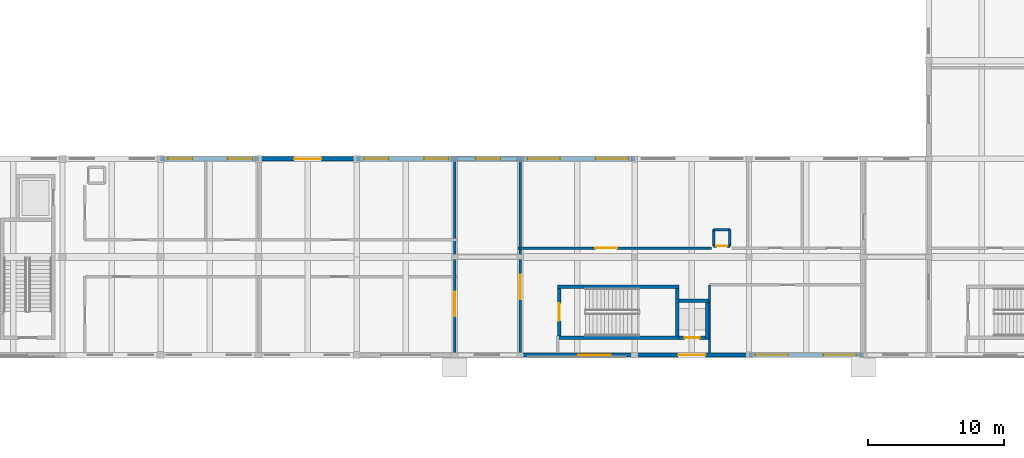
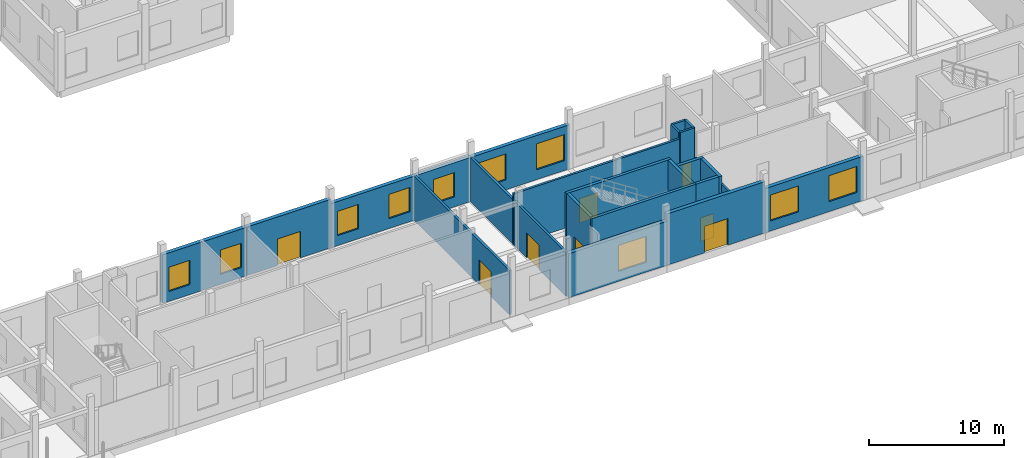
# One storey, part 19 of 41: 23 walls, 10 windows, 8 doors, 18 openings.
"""IFC4 building model written with IfcOpenShell, lengths in metres."""

from ifc_helpers import new_model, si_unit, direction, frame, frame_2d, origin, place, context, subcontext, project, spatial, rectangle, extrude, material, layer, layer_set, type_object, element, fill, save


model = new_model("IFC4")

# Units and contexts
model_context = context("Model", 3, precision=1e-05, world=origin(), true_north=direction((0.0, 1.0)))
body_context = subcontext(model_context, "Body", "Model", "MODEL_VIEW")
ifc_project = project(units=[si_unit("LENGTHUNIT", "METRE"), si_unit("AREAUNIT", "SQUARE_METRE"), si_unit("VOLUMEUNIT", "CUBIC_METRE"), si_unit("PLANEANGLEUNIT", "RADIAN"), si_unit("MASSUNIT", "GRAM", prefix="KILO")], contexts=[model_context])

# Site, building, storey
site_placement = place(None, origin())
site = spatial("IfcSite", under=ifc_project, at=site_placement, CompositionType="ELEMENT")
building_placement = place(site_placement, origin())
building = spatial("IfcBuilding", under=site, at=building_placement, Name="Kahlenmark Community Centre", CompositionType="ELEMENT")
storey_placement = place(building_placement, origin())
storey = spatial("IfcBuildingStorey", under=building, at=storey_placement, Name="L00", CompositionType="ELEMENT", Elevation=0.0)

# Wall, opening, door
ifc_material_1 = material(Name="Concrete C35/45", Category="concrete")
ifc_layer_1 = layer(ifc_material_1, 0.25)
ifc_layer_set_1 = layer_set([ifc_layer_1], Name="Concrete C35/45")
wall_type_1 = type_object("IfcWallType", Name="WT-CORE-250", PredefinedType="SHEAR", material=ifc_layer_set_1)
wall_1_placement = place(storey_placement, frame((94.47509765625, 13.699951171875, 0.0), z_axis=(0.0, 0.0, 1.0), x_axis=(0.0, -1.0, 0.0)))
wall_1 = element("IfcWall", 1, at=wall_1_placement, inside=storey, type_object=wall_type_1, Name="Core K7 shear wall WL-CORE-K7-L00-0253", PredefinedType="SHEAR", context=body_context, shape_type="SweptSolid", body=[
    extrude(rectangle(XDim=3.5, YDim=0.25, at=frame_2d((1.75, 0.0))), origin(), (0.0, 0.0, 1.0), 5.39990234375),
])
opening_1_placement = place(wall_1_placement, frame((1.10009765625, 0.0, -0.010009765625)))
opening_1 = element("IfcOpeningElement", 2, at=opening_1_placement, cuts=wall_1, Name="Opening FD-K7-L00", PredefinedType="OPENING", context=body_context, shape_type="SweptSolid", body=[
    extrude(rectangle(XDim=1.300048828125, YDim=2.159912109375, at=frame_2d((0.64990234375, 1.080078125))), frame((0.0, 0.135009765625, 0.0), z_axis=(0.0, -1.0, 0.0), x_axis=(1.0, 0.0, 0.0)), (0.0, 0.0, 1.0), 0.27001953125),
])
ifc_material_2 = material(Name="Fire-rated steel-framed timber door FD60S", Category="steel")
door_type_1 = type_object("IfcDoorType", Name="DT-FD-K7-L00", OperationType="NOTDEFINED", PredefinedType="DOOR", material=ifc_material_2)
door_1_placement = place(opening_1_placement, frame((0.0, 0.0, 0.010009765625)))
door_1 = element("IfcDoor", 3, at=door_1_placement, inside=storey, type_object=door_type_1, Name="Core K7 stair fire door L00", OperationType="SINGLE_SWING_RIGHT", OverallHeight=2.14990234375, OverallWidth=1.300048828125, PredefinedType="DOOR", context=body_context, shape_type="SweptSolid", body=[
    extrude(rectangle(XDim=1.300048828125, YDim=2.14990234375, at=frame_2d((0.64990234375, 1.074951171875))), frame((0.0, 0.02490234375, 0.0), z_axis=(0.0, -1.0, 0.0), x_axis=(1.0, 0.0, 0.0)), (0.0, 0.0, 1.0), 0.050048828125),
])
fill(opening_1, door_1)

# Walls
for number, where, z_axis, x_axis, name in (
    (4, (94.35009765625, 10.074951171875, 0.0), (0.0, 0.0, 1.0), (1.0, 0.0, 0.0), "Core K7 shear wall WL-CORE-K7-L00-0254"),
    (5, (94.35009765625, 13.824951171875, 0.0), (0.0, 0.0, 1.0), (1.0, 0.0, 0.0), "Core K7 shear wall WL-CORE-K7-L00-0255"),
):
    element("IfcWall", number, at=place(storey_placement, frame(where, z_axis=z_axis, x_axis=x_axis)), inside=storey, type_object=wall_type_1, Name=name, PredefinedType="SHEAR", context=body_context, shape_type="SweptSolid", body=[
        extrude(rectangle(XDim=8.89990234375, YDim=0.25, at=frame_2d((4.449951171875, 0.0))), origin(), (0.0, 0.0, 1.0), 5.39990234375),
    ])
wall_2_placement = place(storey_placement, frame((103.125, 10.199951171875, 0.0), z_axis=(0.0, 0.0, 1.0), x_axis=(0.0, 1.0, 0.0)))
element("IfcWall", 6, at=wall_2_placement, inside=storey, type_object=wall_type_1, Name="Core K7 shear wall WL-CORE-K7-L00-0256", PredefinedType="SHEAR", context=body_context, shape_type="SweptSolid", body=[
    extrude(rectangle(XDim=3.5, YDim=0.25, at=frame_2d((1.75, 0.0))), origin(), (0.0, 0.0, 1.0), 5.39990234375),
])
wall_3_placement = place(storey_placement, frame((103.25, 12.784912109375, 0.0), z_axis=(0.0, 0.0, 1.0), x_axis=(1.0, 0.0, 0.0)))
element("IfcWall", 7, at=wall_3_placement, inside=storey, type_object=wall_type_1, Name="Core K7 shear wall WL-CORE-K7-L00-0257", PredefinedType="SHEAR", context=body_context, shape_type="SweptSolid", body=[
    extrude(rectangle(XDim=2.2099609375, YDim=0.25, at=frame_2d((1.10498046875, 0.0))), origin(), (0.0, 0.0, 1.0), 5.39990234375),
])
wall_4_placement = place(storey_placement, frame((105.3349609375, 9.949951171875, 0.0), z_axis=(0.0, 0.0, 1.0), x_axis=(0.0, 1.0, 0.0)))
element("IfcWall", 8, at=wall_4_placement, inside=storey, type_object=wall_type_1, Name="Core K7 shear wall WL-CORE-K7-L00-0258", PredefinedType="SHEAR", context=body_context, shape_type="SweptSolid", body=[
    extrude(rectangle(XDim=2.9599609375, YDim=0.25, at=frame_2d((1.47998046875, 0.0))), origin(), (0.0, 0.0, 1.0), 5.39990234375),
])

# Wall, opening, door
wall_5_placement = place(storey_placement, frame((103.25, 10.074951171875, 0.0), z_axis=(0.0, 0.0, 1.0), x_axis=(1.0, 0.0, 0.0)))
wall_5 = element("IfcWall", 9, at=wall_5_placement, inside=storey, type_object=wall_type_1, Name="Core K7 shear wall WL-CORE-K7-L00-0259", PredefinedType="SHEAR", context=body_context, shape_type="SweptSolid", body=[
    extrude(rectangle(XDim=1.9599609375, YDim=0.25, at=frame_2d((0.97998046875, 0.0))), origin(), (0.0, 0.0, 1.0), 5.39990234375),
])
opening_2_placement = place(wall_5_placement, frame((0.429931640625, 0.0, -0.010009765625)))
opening_2 = element("IfcOpeningElement", 10, at=opening_2_placement, cuts=wall_5, Name="Opening LD-7", PredefinedType="OPENING", context=body_context, shape_type="SweptSolid", body=[
    extrude(rectangle(XDim=1.10009765625, YDim=2.159912109375, at=frame_2d((0.550048828125, 1.080078125))), frame((0.0, 0.135009765625, 0.0), z_axis=(0.0, -1.0, 0.0), x_axis=(1.0, 0.0, 0.0)), (0.0, 0.0, 1.0), 0.27001953125),
])
ifc_material_3 = material(Name="Brushed stainless steel sliding lift landing door", Category="steel")
door_type_2 = type_object("IfcDoorType", Name="DT-LD-K7", OperationType="SLIDING_TO_LEFT", PredefinedType="DOOR", material=ifc_material_3)
door_2_placement = place(opening_2_placement, frame((0.0, 0.0, 0.010009765625)))
door_2 = element("IfcDoor", 11, at=door_2_placement, inside=storey, type_object=door_type_2, Name="Lift LF-07 sliding landing door L00", OperationType="SLIDING_TO_LEFT", OverallHeight=2.14990234375, OverallWidth=1.10009765625, PredefinedType="DOOR", context=body_context, shape_type="SweptSolid", body=[
    extrude(rectangle(XDim=1.10009765625, YDim=2.14990234375, at=frame_2d((0.550048828125, 1.074951171875))), frame((0.0, 0.02490234375, 0.0), z_axis=(0.0, -1.0, 0.0), x_axis=(1.0, 0.0, 0.0)), (0.0, 0.0, 1.0), 0.050048828125),
])
fill(opening_2, door_2)

# Wall, openings, windows
ifc_material_4 = material(Name="Danube limestone masonry", Category="masonry")
ifc_layer_2 = layer(ifc_material_4, 0.320068359375)
ifc_layer_set_2 = layer_set([ifc_layer_2], Name="Danube limestone masonry")
wall_type_2 = type_object("IfcWallType", Name="WT-EW-320", PredefinedType="SOLIDWALL", material=ifc_layer_set_2)
wall_6_placement = place(storey_placement, frame((72.39990234375, 23.199951171875, 0.0), z_axis=(0.0, 0.0, 1.0), x_axis=(-1.0, 0.0, 0.0)))
wall_6 = element("IfcWall", 12, at=wall_6_placement, inside=storey, type_object=wall_type_2, Name="Exterior wall WL-EXT-L00-0174", PredefinedType="SOLIDWALL", context=body_context, shape_type="SweptSolid", body=[
    extrude(rectangle(XDim=7.199951171875, YDim=0.320068359375, at=frame_2d((3.60009765625, 0.0))), origin(), (0.0, 0.0, 1.0), 4.389892578125),
])
opening_3_placement = place(wall_6_placement, frame((0.4599609375, 0.0, 0.89990234375)))
opening_3 = element("IfcOpeningElement", 13, at=opening_3_placement, cuts=wall_6, Name="Opening W-180X220", PredefinedType="OPENING", context=body_context, shape_type="SweptSolid", body=[
    extrude(rectangle(XDim=1.800048828125, YDim=2.199951171875, at=frame_2d((0.89990234375, 1.10009765625))), frame((0.0, 0.169921875, 0.0), z_axis=(0.0, -1.0, 0.0), x_axis=(1.0, 0.0, 0.0)), (0.0, 0.0, 1.0), 0.340087890625),
])
opening_4_placement = place(wall_6_placement, frame((4.860107421875, 0.0, 0.89990234375)))
opening_4 = element("IfcOpeningElement", 14, at=opening_4_placement, cuts=wall_6, Name="Opening W-180X220", PredefinedType="OPENING", context=body_context, shape_type="SweptSolid", body=[
    extrude(rectangle(XDim=1.800048828125, YDim=2.199951171875, at=frame_2d((0.89990234375, 1.10009765625))), frame((0.0, 0.169921875, 0.0), z_axis=(0.0, -1.0, 0.0), x_axis=(1.0, 0.0, 0.0)), (0.0, 0.0, 1.0), 0.340087890625),
])
ifc_material_5 = material(Name="Triple low-e insulated glazing in timber-aluminium frame", Category="wood")
window_type_1 = type_object("IfcWindowType", Name="WNT-180X220", PartitioningType="DOUBLE_PANEL_VERTICAL", PredefinedType="WINDOW", material=ifc_material_5)
window_1_placement = place(opening_3_placement, origin())
window_1 = element("IfcWindow", 15, at=window_1_placement, inside=storey, type_object=window_type_1, Name="Window W-180X220 #0058", OverallHeight=2.199951171875, OverallWidth=1.800048828125, PartitioningType="DOUBLE_PANEL_VERTICAL", PredefinedType="WINDOW", context=body_context, shape_type="SweptSolid", body=[
    extrude(rectangle(XDim=1.800048828125, YDim=2.199951171875, at=frame_2d((0.89990234375, 1.10009765625))), frame((0.0, 0.030029296875, 0.0), z_axis=(0.0, -1.0, 0.0), x_axis=(1.0, 0.0, 0.0)), (0.0, 0.0, 1.0), 0.06005859375),
])
fill(opening_3, window_1)
window_2_placement = place(opening_4_placement, origin())
window_2 = element("IfcWindow", 16, at=window_2_placement, inside=storey, type_object=window_type_1, Name="Window W-180X220 #0059", OverallHeight=2.199951171875, OverallWidth=1.800048828125, PartitioningType="DOUBLE_PANEL_VERTICAL", PredefinedType="WINDOW", context=body_context, shape_type="SweptSolid", body=[
    extrude(rectangle(XDim=1.800048828125, YDim=2.199951171875, at=frame_2d((0.89990234375, 1.10009765625))), frame((0.0, 0.030029296875, 0.0), z_axis=(0.0, -1.0, 0.0), x_axis=(1.0, 0.0, 0.0)), (0.0, 0.0, 1.0), 0.06005859375),
])
fill(opening_4, window_2)

# Wall, opening, door
wall_7_placement = place(storey_placement, frame((79.60009765625, 23.199951171875, 0.0), z_axis=(0.0, 0.0, 1.0), x_axis=(-1.0, 0.0, 0.0)))
wall_7 = element("IfcWall", 17, at=wall_7_placement, inside=storey, type_object=wall_type_2, Name="Exterior wall WL-EXT-L00-0175", PredefinedType="SOLIDWALL", context=body_context, shape_type="SweptSolid", body=[
    extrude(rectangle(XDim=7.2001953125, YDim=0.320068359375, at=frame_2d((3.60009765625, 0.0))), origin(), (0.0, 0.0, 1.0), 4.389892578125),
])
opening_5_placement = place(wall_7_placement, frame((2.60009765625, 0.0, -0.010009765625)))
opening_5 = element("IfcOpeningElement", 18, at=opening_5_placement, cuts=wall_7, Name="Opening D-EX03", PredefinedType="OPENING", context=body_context, shape_type="SweptSolid", body=[
    extrude(rectangle(XDim=2.0, YDim=2.409912109375, at=frame_2d((1.0, 1.205078125))), frame((0.0, 0.169921875, 0.0), z_axis=(0.0, -1.0, 0.0), x_axis=(1.0, 0.0, 0.0)), (0.0, 0.0, 1.0), 0.340087890625),
])
ifc_material_6 = material(Name="Thermally broken glazed aluminium double entrance door", Category="aluminium")
door_type_3 = type_object("IfcDoorType", Name="DT-EXT-200X240", OperationType="NOTDEFINED", PredefinedType="DOOR", material=ifc_material_6)
door_3_placement = place(opening_5_placement, frame((0.0, 0.0, 0.010009765625)))
door_3 = element("IfcDoor", 19, at=door_3_placement, inside=storey, type_object=door_type_3, Name="Exterior door D-EX03", OperationType="DOUBLE_SWING_LEFT", OverallHeight=2.39990234375, OverallWidth=2.0, PredefinedType="DOOR", context=body_context, shape_type="SweptSolid", body=[
    extrude(rectangle(XDim=2.0, YDim=2.39990234375, at=frame_2d((1.0, 1.199951171875))), frame((0.0, 0.02490234375, 0.0), z_axis=(0.0, -1.0, 0.0), x_axis=(1.0, 0.0, 0.0)), (0.0, 0.0, 1.0), 0.050048828125),
])
fill(opening_5, door_3)

# Wall, openings, windows
wall_8_placement = place(storey_placement, frame((86.800048828125, 23.199951171875, 0.0), z_axis=(0.0, 0.0, 1.0), x_axis=(-1.0, 0.0, 0.0)))
wall_8 = element("IfcWall", 20, at=wall_8_placement, inside=storey, type_object=wall_type_2, Name="Exterior wall WL-EXT-L00-0176", PredefinedType="SOLIDWALL", context=body_context, shape_type="SweptSolid", body=[
    extrude(rectangle(XDim=7.199951171875, YDim=0.320068359375, at=frame_2d((3.60009765625, 0.0))), origin(), (0.0, 0.0, 1.0), 3.989990234375),
])
opening_6_placement = place(wall_8_placement, frame((0.4599609375, 0.0, 0.89990234375)))
opening_6 = element("IfcOpeningElement", 21, at=opening_6_placement, cuts=wall_8, Name="Opening W-180X220", PredefinedType="OPENING", context=body_context, shape_type="SweptSolid", body=[
    extrude(rectangle(XDim=1.800048828125, YDim=2.199951171875, at=frame_2d((0.89990234375, 1.10009765625))), frame((0.0, 0.169921875, 0.0), z_axis=(0.0, -1.0, 0.0), x_axis=(1.0, 0.0, 0.0)), (0.0, 0.0, 1.0), 0.340087890625),
])
opening_7_placement = place(wall_8_placement, frame((4.860107421875, 0.0, 0.89990234375)))
opening_7 = element("IfcOpeningElement", 22, at=opening_7_placement, cuts=wall_8, Name="Opening W-180X220", PredefinedType="OPENING", context=body_context, shape_type="SweptSolid", body=[
    extrude(rectangle(XDim=1.800048828125, YDim=2.199951171875, at=frame_2d((0.89990234375, 1.10009765625))), frame((0.0, 0.169921875, 0.0), z_axis=(0.0, -1.0, 0.0), x_axis=(1.0, 0.0, 0.0)), (0.0, 0.0, 1.0), 0.340087890625),
])
window_3_placement = place(opening_6_placement, origin())
window_3 = element("IfcWindow", 23, at=window_3_placement, inside=storey, type_object=window_type_1, Name="Window W-180X220 #0060", OverallHeight=2.199951171875, OverallWidth=1.800048828125, PartitioningType="DOUBLE_PANEL_VERTICAL", PredefinedType="WINDOW", context=body_context, shape_type="SweptSolid", body=[
    extrude(rectangle(XDim=1.800048828125, YDim=2.199951171875, at=frame_2d((0.89990234375, 1.10009765625))), frame((0.0, 0.030029296875, 0.0), z_axis=(0.0, -1.0, 0.0), x_axis=(1.0, 0.0, 0.0)), (0.0, 0.0, 1.0), 0.06005859375),
])
fill(opening_6, window_3)
window_4_placement = place(opening_7_placement, origin())
window_4 = element("IfcWindow", 24, at=window_4_placement, inside=storey, type_object=window_type_1, Name="Window W-180X220 #0061", OverallHeight=2.199951171875, OverallWidth=1.800048828125, PartitioningType="DOUBLE_PANEL_VERTICAL", PredefinedType="WINDOW", context=body_context, shape_type="SweptSolid", body=[
    extrude(rectangle(XDim=1.800048828125, YDim=2.199951171875, at=frame_2d((0.89990234375, 1.10009765625))), frame((0.0, 0.030029296875, 0.0), z_axis=(0.0, -1.0, 0.0), x_axis=(1.0, 0.0, 0.0)), (0.0, 0.0, 1.0), 0.06005859375),
])
fill(opening_7, window_4)

# Wall, opening, window
wall_9_placement = place(storey_placement, frame((91.60009765625, 8.800048828125, 0.0), z_axis=(0.0, 0.0, 1.0), x_axis=(1.0, 0.0, 0.0)))
wall_9 = element("IfcWall", 25, at=wall_9_placement, inside=storey, type_object=wall_type_2, Name="Exterior wall WL-EXT-L00-0213", PredefinedType="SOLIDWALL", context=body_context, shape_type="SweptSolid", body=[
    extrude(rectangle(XDim=8.39990234375, YDim=0.320068359375, at=frame_2d((4.199951171875, 0.0))), origin(), (0.0, 0.0, 1.0), 3.989990234375),
])
opening_8_placement = place(wall_9_placement, frame((4.260009765625, 0.0, 0.89990234375)))
opening_8 = element("IfcOpeningElement", 26, at=opening_8_placement, cuts=wall_9, Name="Opening W-240X235", PredefinedType="OPENING", context=body_context, shape_type="SweptSolid", body=[
    extrude(rectangle(XDim=2.39990234375, YDim=2.35009765625, at=frame_2d((1.199951171875, 1.175048828125))), frame((0.0, 0.169921875, 0.0), z_axis=(0.0, -1.0, 0.0), x_axis=(1.0, 0.0, 0.0)), (0.0, 0.0, 1.0), 0.340087890625),
])
window_type_2 = type_object("IfcWindowType", Name="WNT-240X235", PartitioningType="TRIPLE_PANEL_VERTICAL", PredefinedType="WINDOW", material=ifc_material_5)
window_5_placement = place(opening_8_placement, origin())
window_5 = element("IfcWindow", 27, at=window_5_placement, inside=storey, type_object=window_type_2, Name="Window W-240X235 #0118", OverallHeight=2.35009765625, OverallWidth=2.39990234375, PartitioningType="TRIPLE_PANEL_VERTICAL", PredefinedType="WINDOW", context=body_context, shape_type="SweptSolid", body=[
    extrude(rectangle(XDim=2.39990234375, YDim=2.35009765625, at=frame_2d((1.199951171875, 1.175048828125))), frame((0.0, 0.030029296875, 0.0), z_axis=(0.0, -1.0, 0.0), x_axis=(1.0, 0.0, 0.0)), (0.0, 0.0, 1.0), 0.06005859375),
])
fill(opening_8, window_5)

# Wall, opening, door
wall_10_placement = place(storey_placement, frame((100.0, 8.800048828125, 0.0), z_axis=(0.0, 0.0, 1.0), x_axis=(1.0, 0.0, 0.0)))
wall_10 = element("IfcWall", 28, at=wall_10_placement, inside=storey, type_object=wall_type_2, Name="Exterior wall WL-EXT-L00-0214", PredefinedType="SOLIDWALL", context=body_context, shape_type="SweptSolid", body=[
    extrude(rectangle(XDim=8.39990234375, YDim=0.320068359375, at=frame_2d((4.199951171875, 0.0))), origin(), (0.0, 0.0, 1.0), 4.639892578125),
])
opening_9_placement = place(wall_10_placement, frame((3.199951171875, 0.0, -0.010009765625)))
opening_9 = element("IfcOpeningElement", 29, at=opening_9_placement, cuts=wall_10, Name="Opening D-E05", PredefinedType="OPENING", context=body_context, shape_type="SweptSolid", body=[
    extrude(rectangle(XDim=2.0, YDim=2.409912109375, at=frame_2d((1.0, 1.205078125))), frame((0.0, 0.169921875, 0.0), z_axis=(0.0, -1.0, 0.0), x_axis=(1.0, 0.0, 0.0)), (0.0, 0.0, 1.0), 0.340087890625),
])
door_4_placement = place(opening_9_placement, frame((0.0, 0.0, 0.010009765625)))
door_4 = element("IfcDoor", 30, at=door_4_placement, inside=storey, type_object=door_type_3, Name="Exterior door D-E05", OperationType="DOUBLE_SWING_LEFT", OverallHeight=2.39990234375, OverallWidth=2.0, PredefinedType="DOOR", context=body_context, shape_type="SweptSolid", body=[
    extrude(rectangle(XDim=2.0, YDim=2.39990234375, at=frame_2d((1.0, 1.199951171875))), frame((0.0, 0.02490234375, 0.0), z_axis=(0.0, -1.0, 0.0), x_axis=(1.0, 0.0, 0.0)), (0.0, 0.0, 1.0), 0.050048828125),
])
fill(opening_9, door_4)

# Wall, openings, windows
wall_11_placement = place(storey_placement, frame((108.39990234375, 8.800048828125, 0.0), z_axis=(0.0, 0.0, 1.0), x_axis=(1.0, 0.0, 0.0)))
wall_11 = element("IfcWall", 31, at=wall_11_placement, inside=storey, type_object=wall_type_2, Name="Exterior wall WL-EXT-L00-0215", PredefinedType="SOLIDWALL", context=body_context, shape_type="SweptSolid", body=[
    extrude(rectangle(XDim=8.400146484375, YDim=0.320068359375, at=frame_2d((4.2001953125, 0.0))), origin(), (0.0, 0.0, 1.0), 3.989990234375),
])
opening_10_placement = place(wall_11_placement, frame((0.4599609375, 0.0, 0.89990234375)))
opening_10 = element("IfcOpeningElement", 32, at=opening_10_placement, cuts=wall_11, Name="Opening W-240X235", PredefinedType="OPENING", context=body_context, shape_type="SweptSolid", body=[
    extrude(rectangle(XDim=2.39990234375, YDim=2.35009765625, at=frame_2d((1.199951171875, 1.175048828125))), frame((0.0, 0.169921875, 0.0), z_axis=(0.0, -1.0, 0.0), x_axis=(1.0, 0.0, 0.0)), (0.0, 0.0, 1.0), 0.340087890625),
])
opening_11_placement = place(wall_11_placement, frame((5.4599609375, 0.0, 0.89990234375)))
opening_11 = element("IfcOpeningElement", 33, at=opening_11_placement, cuts=wall_11, Name="Opening W-240X235", PredefinedType="OPENING", context=body_context, shape_type="SweptSolid", body=[
    extrude(rectangle(XDim=2.39990234375, YDim=2.35009765625, at=frame_2d((1.199951171875, 1.175048828125))), frame((0.0, 0.169921875, 0.0), z_axis=(0.0, -1.0, 0.0), x_axis=(1.0, 0.0, 0.0)), (0.0, 0.0, 1.0), 0.340087890625),
])
window_6_placement = place(opening_10_placement, origin())
window_6 = element("IfcWindow", 34, at=window_6_placement, inside=storey, type_object=window_type_2, Name="Window W-240X235 #0119", OverallHeight=2.35009765625, OverallWidth=2.39990234375, PartitioningType="TRIPLE_PANEL_VERTICAL", PredefinedType="WINDOW", context=body_context, shape_type="SweptSolid", body=[
    extrude(rectangle(XDim=2.39990234375, YDim=2.35009765625, at=frame_2d((1.199951171875, 1.175048828125))), frame((0.0, 0.030029296875, 0.0), z_axis=(0.0, -1.0, 0.0), x_axis=(1.0, 0.0, 0.0)), (0.0, 0.0, 1.0), 0.06005859375),
])
fill(opening_10, window_6)
window_7_placement = place(opening_11_placement, origin())
window_7 = element("IfcWindow", 35, at=window_7_placement, inside=storey, type_object=window_type_2, Name="Window W-240X235 #0120", OverallHeight=2.35009765625, OverallWidth=2.39990234375, PartitioningType="TRIPLE_PANEL_VERTICAL", PredefinedType="WINDOW", context=body_context, shape_type="SweptSolid", body=[
    extrude(rectangle(XDim=2.39990234375, YDim=2.35009765625, at=frame_2d((1.199951171875, 1.175048828125))), frame((0.0, 0.030029296875, 0.0), z_axis=(0.0, -1.0, 0.0), x_axis=(1.0, 0.0, 0.0)), (0.0, 0.0, 1.0), 0.06005859375),
])
fill(opening_11, window_7)

wall_12_placement = place(storey_placement, frame((100.0, 23.199951171875, 0.0), z_axis=(0.0, 0.0, 1.0), x_axis=(-1.0, 0.0, 0.0)))
wall_12 = element("IfcWall", 36, at=wall_12_placement, inside=storey, type_object=wall_type_2, Name="Exterior wall WL-EXT-L00-0216", PredefinedType="SOLIDWALL", context=body_context, shape_type="SweptSolid", body=[
    extrude(rectangle(XDim=8.39990234375, YDim=0.320068359375, at=frame_2d((4.199951171875, 0.0))), origin(), (0.0, 0.0, 1.0), 3.989990234375),
])
opening_12_placement = place(wall_12_placement, frame((0.4599609375, 0.0, 0.89990234375)))
opening_12 = element("IfcOpeningElement", 37, at=opening_12_placement, cuts=wall_12, Name="Opening W-240X235", PredefinedType="OPENING", context=body_context, shape_type="SweptSolid", body=[
    extrude(rectangle(XDim=2.39990234375, YDim=2.35009765625, at=frame_2d((1.199951171875, 1.175048828125))), frame((0.0, 0.169921875, 0.0), z_axis=(0.0, -1.0, 0.0), x_axis=(1.0, 0.0, 0.0)), (0.0, 0.0, 1.0), 0.340087890625),
])
opening_13_placement = place(wall_12_placement, frame((5.4599609375, 0.0, 0.89990234375)))
opening_13 = element("IfcOpeningElement", 38, at=opening_13_placement, cuts=wall_12, Name="Opening W-240X235", PredefinedType="OPENING", context=body_context, shape_type="SweptSolid", body=[
    extrude(rectangle(XDim=2.39990234375, YDim=2.35009765625, at=frame_2d((1.199951171875, 1.175048828125))), frame((0.0, 0.169921875, 0.0), z_axis=(0.0, -1.0, 0.0), x_axis=(1.0, 0.0, 0.0)), (0.0, 0.0, 1.0), 0.340087890625),
])
window_8_placement = place(opening_12_placement, origin())
window_8 = element("IfcWindow", 39, at=window_8_placement, inside=storey, type_object=window_type_2, Name="Window W-240X235 #0121", OverallHeight=2.35009765625, OverallWidth=2.39990234375, PartitioningType="TRIPLE_PANEL_VERTICAL", PredefinedType="WINDOW", context=body_context, shape_type="SweptSolid", body=[
    extrude(rectangle(XDim=2.39990234375, YDim=2.35009765625, at=frame_2d((1.199951171875, 1.175048828125))), frame((0.0, 0.030029296875, 0.0), z_axis=(0.0, -1.0, 0.0), x_axis=(1.0, 0.0, 0.0)), (0.0, 0.0, 1.0), 0.06005859375),
])
fill(opening_12, window_8)
window_9_placement = place(opening_13_placement, origin())
window_9 = element("IfcWindow", 40, at=window_9_placement, inside=storey, type_object=window_type_2, Name="Window W-240X235 #0122", OverallHeight=2.35009765625, OverallWidth=2.39990234375, PartitioningType="TRIPLE_PANEL_VERTICAL", PredefinedType="WINDOW", context=body_context, shape_type="SweptSolid", body=[
    extrude(rectangle(XDim=2.39990234375, YDim=2.35009765625, at=frame_2d((1.199951171875, 1.175048828125))), frame((0.0, 0.030029296875, 0.0), z_axis=(0.0, -1.0, 0.0), x_axis=(1.0, 0.0, 0.0)), (0.0, 0.0, 1.0), 0.06005859375),
])
fill(opening_13, window_9)

# Wall, opening, window
wall_13_placement = place(storey_placement, frame((91.60009765625, 23.199951171875, 0.0), z_axis=(0.0, 0.0, 1.0), x_axis=(-1.0, 0.0, 0.0)))
wall_13 = element("IfcWall", 41, at=wall_13_placement, inside=storey, type_object=wall_type_2, Name="Exterior wall WL-EXT-L00-0242", PredefinedType="SOLIDWALL", context=body_context, shape_type="SweptSolid", body=[
    extrude(rectangle(XDim=4.800048828125, YDim=0.320068359375, at=frame_2d((2.39990234375, 0.0))), origin(), (0.0, 0.0, 1.0), 3.989990234375),
])
opening_14_placement = place(wall_13_placement, frame((1.4599609375, 0.0, 0.89990234375)))
opening_14 = element("IfcOpeningElement", 42, at=opening_14_placement, cuts=wall_13, Name="Opening W-180X220", PredefinedType="OPENING", context=body_context, shape_type="SweptSolid", body=[
    extrude(rectangle(XDim=1.800048828125, YDim=2.199951171875, at=frame_2d((0.89990234375, 1.10009765625))), frame((0.0, 0.169921875, 0.0), z_axis=(0.0, -1.0, 0.0), x_axis=(1.0, 0.0, 0.0)), (0.0, 0.0, 1.0), 0.340087890625),
])
window_10_placement = place(opening_14_placement, origin())
window_10 = element("IfcWindow", 43, at=window_10_placement, inside=storey, type_object=window_type_1, Name="Window W-180X220 #0162", OverallHeight=2.199951171875, OverallWidth=1.800048828125, PartitioningType="DOUBLE_PANEL_VERTICAL", PredefinedType="WINDOW", context=body_context, shape_type="SweptSolid", body=[
    extrude(rectangle(XDim=1.800048828125, YDim=2.199951171875, at=frame_2d((0.89990234375, 1.10009765625))), frame((0.0, 0.030029296875, 0.0), z_axis=(0.0, -1.0, 0.0), x_axis=(1.0, 0.0, 0.0)), (0.0, 0.0, 1.0), 0.06005859375),
])
fill(opening_14, window_10)

# Wall
ifc_material_7 = material(Name="Gypsum plasterboard partition", Category="gypsum")
ifc_layer_3 = layer(ifc_material_7, 0.179931640625)
ifc_layer_set_3 = layer_set([ifc_layer_3], Name="Gypsum plasterboard partition")
wall_type_3 = type_object("IfcWallType", Name="WT-PW-180", PredefinedType="PARTITIONING", material=ifc_layer_set_3)
wall_14_placement = place(storey_placement, frame((105.5, 8.949951171875, 0.0), z_axis=(0.0, 0.0, 1.0), x_axis=(0.0, 1.0, 0.0)))
element("IfcWall", 44, at=wall_14_placement, inside=storey, type_object=wall_type_3, Name="Interior partition WL-INT-L00-0045", PredefinedType="PARTITIONING", context=body_context, shape_type="SweptSolid", body=[
    extrude(rectangle(XDim=5.0, YDim=0.179931640625, at=frame_2d((2.5, 0.0))), origin(), (0.0, 0.0, 1.0), 4.639892578125),
])

# Wall, opening, door
wall_15_placement = place(storey_placement, frame((91.449951171875, 16.64990234375, 0.0), z_axis=(0.0, 0.0, 1.0), x_axis=(1.0, 0.0, 0.0)))
wall_15 = element("IfcWall", 45, at=wall_15_placement, inside=storey, type_object=wall_type_3, Name="Interior partition WL-INT-L00-0047", PredefinedType="PARTITIONING", context=body_context, shape_type="SweptSolid", body=[
    extrude(rectangle(XDim=14.199951171875, YDim=0.179931640625, at=frame_2d((7.10009765625, 0.0))), origin(), (0.0, 0.0, 1.0), 4.639892578125),
])
opening_15_placement = place(wall_15_placement, frame((5.669921875, 0.0, -0.010009765625)))
opening_15 = element("IfcOpeningElement", 46, at=opening_15_placement, cuts=wall_15, Name="Opening D-L00-032", PredefinedType="OPENING", context=body_context, shape_type="SweptSolid", body=[
    extrude(rectangle(XDim=1.60009765625, YDim=2.2099609375, at=frame_2d((0.800048828125, 1.10498046875))), frame((0.0, 0.099853515625, 0.0), z_axis=(0.0, -1.0, 0.0), x_axis=(1.0, 0.0, 0.0)), (0.0, 0.0, 1.0), 0.199951171875),
])
ifc_material_8 = material(Name="Oak double-leaf acoustic door")
door_type_4 = type_object("IfcDoorType", Name="DT-DBL-160X220", OperationType="NOTDEFINED", PredefinedType="DOOR", material=ifc_material_8)
door_5_placement = place(opening_15_placement, frame((0.0, 0.0, 0.010009765625)))
door_5 = element("IfcDoor", 47, at=door_5_placement, inside=storey, type_object=door_type_4, Name="Interior door D-L00-032", OperationType="DOUBLE_SWING_LEFT", OverallHeight=2.199951171875, OverallWidth=1.60009765625, PredefinedType="DOOR", context=body_context, shape_type="SweptSolid", body=[
    extrude(rectangle(XDim=1.60009765625, YDim=2.199951171875, at=frame_2d((0.800048828125, 1.10009765625))), frame((0.0, 0.02490234375, 0.0), z_axis=(0.0, -1.0, 0.0), x_axis=(1.0, 0.0, 0.0)), (0.0, 0.0, 1.0), 0.050048828125),
])
fill(opening_15, door_5)

ifc_material_9 = material(Name="Masonry blockwork", Category="masonry")
ifc_layer_4 = layer(ifc_material_9, 0.199951171875)
ifc_layer_set_4 = layer_set([ifc_layer_4], Name="Masonry blockwork")
wall_type_4 = type_object("IfcWallType", Name="WT-PW-200", PredefinedType="PARTITIONING", material=ifc_layer_set_4)
wall_16_placement = place(storey_placement, frame((86.800048828125, 8.949951171875, 0.0), z_axis=(0.0, 0.0, 1.0), x_axis=(0.0, 1.0, 0.0)))
wall_16 = element("IfcWall", 48, at=wall_16_placement, inside=storey, type_object=wall_type_4, Name="Interior partition WL-INT-L00-0042", PredefinedType="PARTITIONING", context=body_context, shape_type="SweptSolid", body=[
    extrude(rectangle(XDim=14.10009765625, YDim=0.199951171875, at=frame_2d((7.050048828125, 0.0))), origin(), (0.0, 0.0, 1.0), 3.989990234375),
])
opening_16_placement = place(wall_16_placement, frame((2.7060546875, 0.0, -0.010009765625)))
opening_16 = element("IfcOpeningElement", 49, at=opening_16_placement, cuts=wall_16, Name="Opening D-L00-029", PredefinedType="OPENING", context=body_context, shape_type="SweptSolid", body=[
    extrude(rectangle(XDim=1.800048828125, YDim=2.260009765625, at=frame_2d((0.89990234375, 1.1298828125))), frame((0.0, 0.10986328125, 0.0), z_axis=(0.0, -1.0, 0.0), x_axis=(1.0, 0.0, 0.0)), (0.0, 0.0, 1.0), 0.219970703125),
])
ifc_material_10 = material(Name="Fire-rated double corridor door FD60S")
door_type_5 = type_object("IfcDoorType", Name="DT-FD60-180X225", OperationType="NOTDEFINED", PredefinedType="DOOR", material=ifc_material_10)
door_6_placement = place(opening_16_placement, frame((0.0, 0.0, 0.010009765625)))
door_6 = element("IfcDoor", 50, at=door_6_placement, inside=storey, type_object=door_type_5, Name="Interior door D-L00-029", OperationType="DOUBLE_SWING_LEFT", OverallHeight=2.25, OverallWidth=1.800048828125, PredefinedType="DOOR", context=body_context, shape_type="SweptSolid", body=[
    extrude(rectangle(XDim=1.800048828125, YDim=2.25, at=frame_2d((0.89990234375, 1.125))), frame((0.0, 0.02490234375, 0.0), z_axis=(0.0, -1.0, 0.0), x_axis=(1.0, 0.0, 0.0)), (0.0, 0.0, 1.0), 0.050048828125),
])
fill(opening_16, door_6)

wall_17_placement = place(storey_placement, frame((91.60009765625, 8.949951171875, 0.0), z_axis=(0.0, 0.0, 1.0), x_axis=(0.0, 1.0, 0.0)))
wall_17 = element("IfcWall", 51, at=wall_17_placement, inside=storey, type_object=wall_type_4, Name="Interior partition WL-INT-L00-0043", PredefinedType="PARTITIONING", context=body_context, shape_type="SweptSolid", body=[
    extrude(rectangle(XDim=14.10009765625, YDim=0.199951171875, at=frame_2d((7.050048828125, 0.0))), origin(), (0.0, 0.0, 1.0), 3.989990234375),
])
opening_17_placement = place(wall_17_placement, frame((3.93603515625, 0.0, -0.010009765625)))
opening_17 = element("IfcOpeningElement", 52, at=opening_17_placement, cuts=wall_17, Name="Opening D-L00-030", PredefinedType="OPENING", context=body_context, shape_type="SweptSolid", body=[
    extrude(rectangle(XDim=1.800048828125, YDim=2.260009765625, at=frame_2d((0.89990234375, 1.1298828125))), frame((0.0, 0.10986328125, 0.0), z_axis=(0.0, -1.0, 0.0), x_axis=(1.0, 0.0, 0.0)), (0.0, 0.0, 1.0), 0.219970703125),
])
door_7_placement = place(opening_17_placement, frame((1.800048828125, 0.0, 0.010009765625), z_axis=(0.0, 0.0, 1.0), x_axis=(-1.0, 0.0, 0.0)))
door_7 = element("IfcDoor", 53, at=door_7_placement, inside=storey, type_object=door_type_5, Name="Interior door D-L00-030", OperationType="DOUBLE_SWING_LEFT", OverallHeight=2.25, OverallWidth=1.800048828125, PredefinedType="DOOR", context=body_context, shape_type="SweptSolid", body=[
    extrude(rectangle(XDim=1.800048828125, YDim=2.25, at=frame_2d((0.89990234375, 1.125))), frame((0.0, 0.02490234375, 0.0), z_axis=(0.0, -1.0, 0.0), x_axis=(1.0, 0.0, 0.0)), (0.0, 0.0, 1.0), 0.050048828125),
])
fill(opening_17, door_7)

ifc_layer_5 = layer(ifc_material_9, 0.179931640625)
ifc_layer_set_5 = layer_set([ifc_layer_5], Name="Masonry blockwork")
wall_type_5 = type_object("IfcWallType", Name="WT-RISER-180", PredefinedType="SOLIDWALL", material=ifc_layer_set_5)
wall_18_placement = place(storey_placement, frame((105.800048828125, 16.800048828125, 0.0), z_axis=(0.0, 0.0, 1.0), x_axis=(1.0, 0.0, 0.0)))
wall_18 = element("IfcWall", 54, at=wall_18_placement, inside=storey, type_object=wall_type_5, Name="Riser RS-04 shaft wall L00.1", PredefinedType="SOLIDWALL", context=body_context, shape_type="SweptSolid", body=[
    extrude(rectangle(XDim=1.199951171875, YDim=0.179931640625, at=frame_2d((0.60009765625, 0.0))), origin(), (0.0, 0.0, 1.0), 5.070068359375),
])
opening_18_placement = place(wall_18_placement, frame((0.199951171875, 0.0, -0.010009765625)))
opening_18 = element("IfcOpeningElement", 55, at=opening_18_placement, cuts=wall_18, Name="Opening FD-RS80", PredefinedType="OPENING", context=body_context, shape_type="SweptSolid", body=[
    extrude(rectangle(XDim=0.800048828125, YDim=2.06005859375, at=frame_2d((0.39990234375, 1.030029296875))), frame((0.0, 0.099853515625, 0.0), z_axis=(0.0, -1.0, 0.0), x_axis=(1.0, 0.0, 0.0)), (0.0, 0.0, 1.0), 0.199951171875),
])
ifc_material_11 = material(Name="Fire-rated steel service riser door FD60S", Category="steel")
door_type_6 = type_object("IfcDoorType", Name="DT-RISER-80X205", OperationType="NOTDEFINED", PredefinedType="DOOR", material=ifc_material_11)
door_8_placement = place(opening_18_placement, frame((0.0, 0.0, 0.010009765625)))
door_8 = element("IfcDoor", 56, at=door_8_placement, inside=storey, type_object=door_type_6, Name="Riser RS-04 access door L00", OperationType="SINGLE_SWING_LEFT", OverallHeight=2.050048828125, OverallWidth=0.800048828125, PredefinedType="DOOR", context=body_context, shape_type="SweptSolid", body=[
    extrude(rectangle(XDim=0.800048828125, YDim=2.050048828125, at=frame_2d((0.39990234375, 1.02490234375))), frame((0.0, 0.02490234375, 0.0), z_axis=(0.0, -1.0, 0.0), x_axis=(1.0, 0.0, 0.0)), (0.0, 0.0, 1.0), 0.050048828125),
])
fill(opening_18, door_8)

# Walls
for number, where, z_axis, x_axis, name in (
    (57, (107.0, 16.800048828125, 0.0), (0.0, 0.0, 1.0), (0.0, 1.0, 0.0), "Riser RS-04 shaft wall L00.2"),
    (58, (107.0, 18.0, 0.0), (0.0, 0.0, 1.0), (-1.0, 0.0, 0.0), "Riser RS-04 shaft wall L00.3"),
    (59, (105.800048828125, 18.0, 0.0), (0.0, 0.0, 1.0), (0.0, -1.0, 0.0), "Riser RS-04 shaft wall L00.4"),
):
    element("IfcWall", number, at=place(storey_placement, frame(where, z_axis=z_axis, x_axis=x_axis)), inside=storey, type_object=wall_type_5, Name=name, PredefinedType="SOLIDWALL", context=body_context, shape_type="SweptSolid", body=[
        extrude(rectangle(XDim=1.199951171875, YDim=0.179931640625, at=frame_2d((0.60009765625, 0.0))), origin(), (0.0, 0.0, 1.0), 5.070068359375),
    ])

save(model, "model.ifc")
